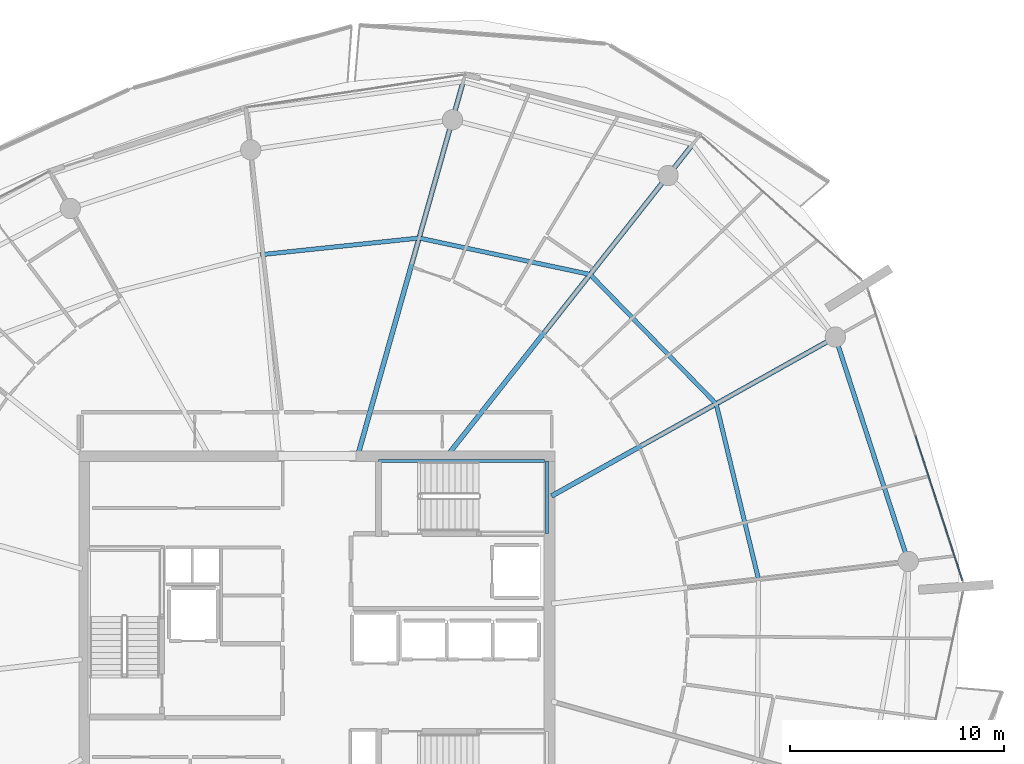
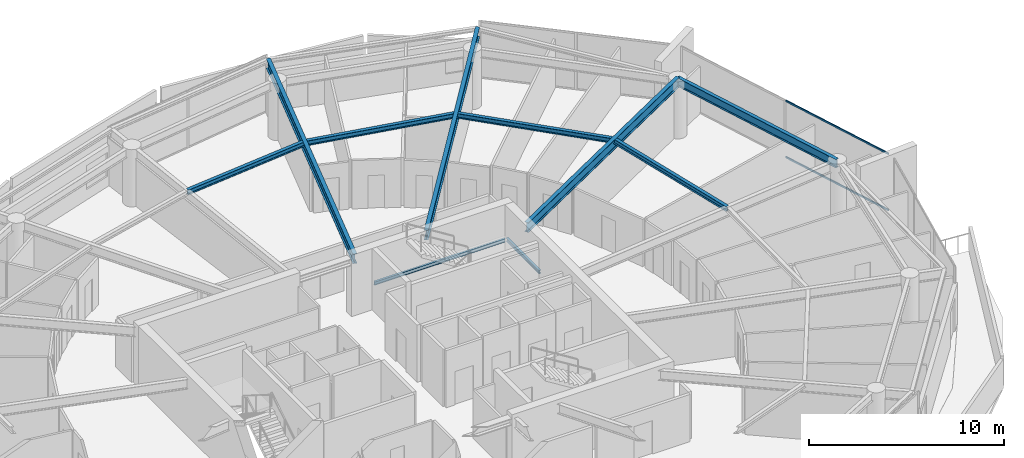
# One storey, part 13 of 29: 10 beams, 2 members, 1 element without a shape of its own.
"""IFC4 building model written with IfcOpenShell, lengths in metres."""

from ifc_helpers import new_model, si_unit, direction, frame, origin, origin_2d, place, context, subcontext, project, spatial, rectangle, i_section, extrude, material, layer, layer_set, material_profile, profile_set, type_object, element, aggregate, save


model = new_model("IFC4")

# Units and contexts
model_context = context("Model", 3, precision=1e-05, world=origin(), true_north=direction((0.0, 1.0)))
body_context = subcontext(model_context, "Body", "Model", "MODEL_VIEW")
ifc_project = project(units=[si_unit("LENGTHUNIT", "METRE"), si_unit("AREAUNIT", "SQUARE_METRE"), si_unit("VOLUMEUNIT", "CUBIC_METRE"), si_unit("PLANEANGLEUNIT", "RADIAN"), si_unit("MASSUNIT", "GRAM", prefix="KILO")], contexts=[model_context])

# Site, building, storey
site_placement = place(None, origin())
site = spatial("IfcSite", under=ifc_project, at=site_placement, CompositionType="ELEMENT")
building_placement = place(site_placement, origin())
building = spatial("IfcBuilding", under=site, at=building_placement, Name="Kazma Halo Residences", CompositionType="ELEMENT")
storey_placement = place(building_placement, frame((0.0, 0.0, 282.89990234375)))
storey = spatial("IfcBuildingStorey", under=building, at=storey_placement, Name="L71", CompositionType="ELEMENT", Elevation=282.89990234375)

# Beams
ifc_material_1 = material(Name="Steel S355", Category="steel")
ifc_material_profile_1 = material_profile(ifc_material_1, i_section(OverallWidth=0.22802734375, OverallDepth=0.60791015625, WebThickness=0.01123046875, FlangeThickness=0.017333984375, FilletRadius=0.01806640625, at=origin_2d()), Name="W610x113")
ifc_profile_set_1 = profile_set([ifc_material_profile_1], Name="Steel S355")
beam_type_1 = type_object("IfcBeamType", Name="BM-RAD-W610", PredefinedType="BEAM", material=ifc_profile_set_1)
beam_1_placement = place(storey_placement, frame((59.39990234375, 48.38427734375, 3.2861328125), z_axis=(0.872501636424, 0.488611189432, 0.0), x_axis=(-0.488611189432, 0.872501636424, 0.0)))
element("IfcBeam", 1, at=beam_1_placement, inside=storey, type_object=beam_type_1, Name="L71 radial floor beam 01", PredefinedType="BEAM", context=body_context, shape_type="SweptSolid", body=[
    extrude(i_section(OverallWidth=0.22802734375, OverallDepth=0.60791015625, WebThickness=0.01123046875, FlangeThickness=0.017333984375, FilletRadius=0.01806640625, at=origin_2d()), origin(), (0.0, 0.0, 1.0), 15.209716796875),
])
beam_2_placement = place(storey_placement, frame((54.58251953125, 50.35009765625, 3.2861328125), z_axis=(0.619094367176, 0.785316601461, 0.0), x_axis=(-0.785316601461, 0.619094367176, 0.0)))
element("IfcBeam", 2, at=beam_2_placement, inside=storey, type_object=beam_type_1, Name="L71 radial floor beam 02", PredefinedType="BEAM", context=body_context, shape_type="SweptSolid", body=[
    extrude(i_section(OverallWidth=0.22802734375, OverallDepth=0.60791015625, WebThickness=0.01123046875, FlangeThickness=0.017333984375, FilletRadius=0.01806640625, at=origin_2d()), origin(), (0.0, 0.0, 1.0), 18.429931640625),
])
beam_3_placement = place(storey_placement, frame((50.35498046875, 50.35009765625, 3.2861328125), z_axis=(0.271443175073, 0.962454467861, 0.0), x_axis=(-0.962454467861, 0.271443175073, 0.0)))
element("IfcBeam", 3, at=beam_3_placement, inside=storey, type_object=beam_type_1, Name="L71 radial floor beam 03", PredefinedType="BEAM", context=body_context, shape_type="SweptSolid", body=[
    extrude(i_section(OverallWidth=0.22802734375, OverallDepth=0.60791015625, WebThickness=0.01123046875, FlangeThickness=0.017333984375, FilletRadius=0.01806640625, at=origin_2d()), origin(), (0.0, 0.0, 1.0), 18.089111328125),
])
ifc_material_profile_2 = material_profile(ifc_material_1, i_section(OverallWidth=0.202880859375, OverallDepth=0.302978515625, WebThickness=0.007568359375, FlangeThickness=0.01318359375, FilletRadius=0.013916015625, at=origin_2d()), Name="W310x60")
ifc_profile_set_2 = profile_set([ifc_material_profile_2], Name="Steel S355")
beam_type_2 = type_object("IfcBeamType", Name="BM-SEC-W310A", PredefinedType="JOIST", material=ifc_profile_set_2)
beam_4_placement = place(storey_placement, frame((67.0966796875, 52.694580078125, 3.4384765625), z_axis=(-0.697959749995, 0.716136989261, 0.0), x_axis=(-0.716136989261, -0.697959749995, 0.0)))
element("IfcBeam", 4, at=beam_4_placement, inside=storey, type_object=beam_type_2, Name="L71 circumferential floor joist 01", PredefinedType="JOIST", context=body_context, shape_type="SweptSolid", body=[
    extrude(i_section(OverallWidth=0.202880859375, OverallDepth=0.302978515625, WebThickness=0.007568359375, FlangeThickness=0.01318359375, FilletRadius=0.013916015625, at=origin_2d()), origin(), (0.0, 0.0, 1.0), 8.4482421875),
])
beam_5_placement = place(storey_placement, frame((61.2001953125, 58.74462890625, 3.4384765625), z_axis=(-0.97806685939, 0.208291186956, 0.0), x_axis=(-0.208291186956, -0.97806685939, 0.0)))
element("IfcBeam", 5, at=beam_5_placement, inside=storey, type_object=beam_type_2, Name="L71 circumferential floor joist 02", PredefinedType="JOIST", context=body_context, shape_type="SweptSolid", body=[
    extrude(i_section(OverallWidth=0.202880859375, OverallDepth=0.302978515625, WebThickness=0.007568359375, FlangeThickness=0.01318359375, FilletRadius=0.013916015625, at=origin_2d()), origin(), (0.0, 0.0, 1.0), 8.1767578125),
])
beam_6_placement = place(storey_placement, frame((53.202880859375, 60.44775390625, 3.4384765625), z_axis=(-0.994500789339, -0.104729079076, 0.0), x_axis=(0.104729079076, -0.994500789339, 0.0)))
element("IfcBeam", 6, at=beam_6_placement, inside=storey, type_object=beam_type_2, Name="L71 circumferential floor joist 03", PredefinedType="JOIST", context=body_context, shape_type="SweptSolid", body=[
    extrude(i_section(OverallWidth=0.202880859375, OverallDepth=0.302978515625, WebThickness=0.007568359375, FlangeThickness=0.01318359375, FilletRadius=0.013916015625, at=origin_2d()), origin(), (0.0, 0.0, 1.0), 7.459716796875),
])
beam_7_placement = place(storey_placement, frame((69.07421875, 44.494384765625, 3.4384765625), z_axis=(-0.234436822548, 0.972131357499, 0.0), x_axis=(-0.972131357499, -0.234436822548, 0.0)))
element("IfcBeam", 7, at=beam_7_placement, inside=storey, type_object=beam_type_2, Name="L71 circumferential floor joist 16", PredefinedType="JOIST", context=body_context, shape_type="SweptSolid", body=[
    extrude(i_section(OverallWidth=0.202880859375, OverallDepth=0.302978515625, WebThickness=0.007568359375, FlangeThickness=0.01318359375, FilletRadius=0.013916015625, at=origin_2d()), origin(), (0.0, 0.0, 1.0), 8.435302734375),
])
ifc_material_profile_3 = material_profile(ifc_material_1, i_section(OverallWidth=0.208984375, OverallDepth=0.532958984375, WebThickness=0.01025390625, FlangeThickness=0.015625, FilletRadius=0.01611328125, at=origin_2d()), Name="W530x92")
ifc_profile_set_3 = profile_set([ifc_material_profile_3], Name="Steel S355")
beam_type_3 = type_object("IfcBeamType", Name="BM-SPN-W530", PredefinedType="BEAM", material=ifc_profile_set_3)
beam_8_placement = place(storey_placement, frame((76.07958984375, 45.323486328125, 3.323486328125), z_axis=(-0.309015517474, 0.951056996168, 0.0), x_axis=(-0.951056996168, -0.309015517474, 0.0)))
element("IfcBeam", 8, at=beam_8_placement, inside=storey, type_object=beam_type_3, Name="L71 perimeter ring beam 16", PredefinedType="BEAM", context=body_context, shape_type="SweptSolid", body=[
    extrude(i_section(OverallWidth=0.208984375, OverallDepth=0.532958984375, WebThickness=0.01025390625, FlangeThickness=0.015625, FilletRadius=0.01611328125, at=origin_2d()), origin(), (0.0, 0.0, 1.0), 11.032470703125),
])
ifc_material_profile_4 = material_profile(ifc_material_1, i_section(OverallWidth=0.133056640625, OverallDepth=0.20703125, WebThickness=0.005859375, FlangeThickness=0.00830078125, FilletRadius=0.010009765625, at=origin_2d()), Name="W200x26.6")
ifc_profile_set_4 = profile_set([ifc_material_profile_4], Name="Steel S355")
beam_type_4 = type_object("IfcBeamType", Name="BM-TRIM-W200", PredefinedType="BEAM", material=ifc_profile_set_4)
beam_9_placement = place(storey_placement, frame((51.31005859375, 50.02001953125, 1.6201171875), z_axis=(1.0, 0.0, 0.0), x_axis=(0.0, 1.0, 0.0)))
element("IfcBeam", 9, at=beam_9_placement, inside=storey, type_object=beam_type_4, Name="L71 ST-02 landing north wall ledger", PredefinedType="BEAM", context=body_context, shape_type="SweptSolid", body=[
    extrude(i_section(OverallWidth=0.133056640625, OverallDepth=0.20703125, WebThickness=0.005859375, FlangeThickness=0.00830078125, FilletRadius=0.010009765625, at=origin_2d()), origin(), (0.0, 0.0, 1.0), 7.760009765625),
])
beam_10_placement = place(storey_placement, frame((59.18994140625, 46.6201171875, 1.6201171875), z_axis=(0.0, 1.0, 0.0), x_axis=(-1.0, 0.0, 0.0)))
element("IfcBeam", 10, at=beam_10_placement, inside=storey, type_object=beam_type_4, Name="L71 ST-02 landing end wall ledger", PredefinedType="BEAM", context=body_context, shape_type="SweptSolid", body=[
    extrude(i_section(OverallWidth=0.133056640625, OverallDepth=0.20703125, WebThickness=0.005859375, FlangeThickness=0.00830078125, FilletRadius=0.010009765625, at=origin_2d()), origin(), (0.0, 0.0, 1.0), 3.39990234375),
])

# Curtain wall, members
ifc_material_2 = material(Name="Aluminium AW-6063 T6 and Triple-Silver Low-E Glass", Category="aluminium")
ifc_layer = layer(ifc_material_2, 0.139892578125)
ifc_layer_set = layer_set([ifc_layer], Name="Aluminium AW-6063 T6 and Triple-Silver Low-E Glass")
curtain_wall_type = type_object("IfcCurtainWallType", Name="CW-SYS-5", PredefinedType="NOTDEFINED", material=ifc_layer_set)
curtain_wall_placement = place(storey_placement, origin())
curtain_wall = element("IfcCurtainWall", 11, at=curtain_wall_placement, inside=storey, type_object=curtain_wall_type, Name="L71 unitised curtain wall B16", PredefinedType="NOTDEFINED")
ifc_material_3 = material(Name="Aluminium AW-6063 T6", Category="aluminium")
ifc_material_profile_5 = material_profile(ifc_material_3, rectangle(XDim=0.06005859375, YDim=0.10498046875, at=origin_2d()), Name="CWT-60x105")
ifc_profile_set_5 = profile_set([ifc_material_profile_5], Name="Aluminium AW-6063 T6")
member_type = type_object("IfcMemberType", Name="CW-SYS-5-TRN", PredefinedType="USERDEFINED", material=ifc_profile_set_5)
member_1_placement = place(storey_placement, frame((78.613525390625, 44.44091796875, 0.030029296875), z_axis=(-0.308995987448, 0.951063341603, 0.0), x_axis=(-0.951063341603, -0.308995987448, 0.0)))
member_1 = element("IfcMember", 12, at=member_1_placement, type_object=member_type, Name="CWS-5 transom 1.1", ObjectType="TRANSOM", PredefinedType="USERDEFINED", context=body_context, shape_type="SweptSolid", body=[
    extrude(rectangle(XDim=0.06005859375, YDim=0.10498046875, at=origin_2d()), origin(), (0.0, 0.0, 1.0), 7.108642578125),
])
member_2_placement = place(storey_placement, frame((78.613525390625, 44.44091796875, 3.56005859375), z_axis=(-0.308995987448, 0.951063341603, 0.0), x_axis=(-0.951063341603, -0.308995987448, 0.0)))
member_2 = element("IfcMember", 13, at=member_2_placement, type_object=member_type, Name="CWS-5 transom 1.2", ObjectType="TRANSOM", PredefinedType="USERDEFINED", context=body_context, shape_type="SweptSolid", body=[
    extrude(rectangle(XDim=0.06005859375, YDim=0.10498046875, at=origin_2d()), origin(), (0.0, 0.0, 1.0), 7.108642578125),
])
aggregate(curtain_wall, [member_1, member_2])

save(model, "model.ifc")
